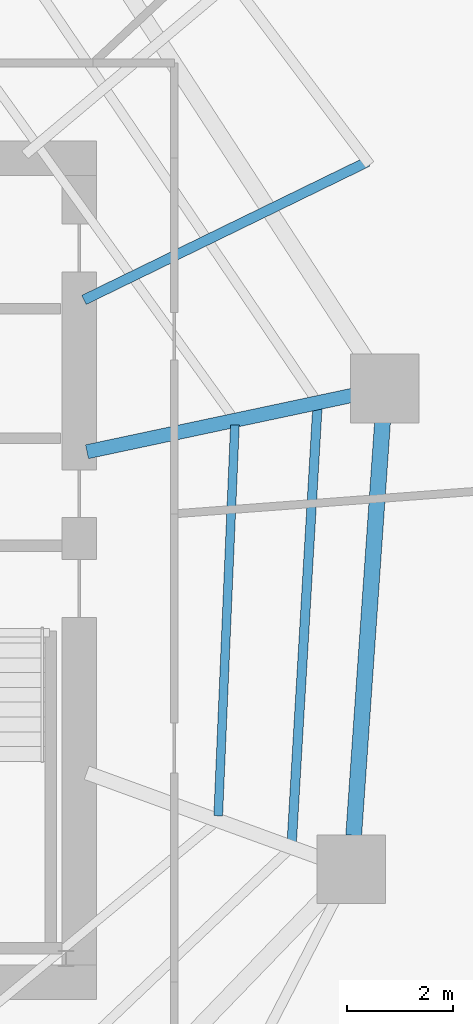
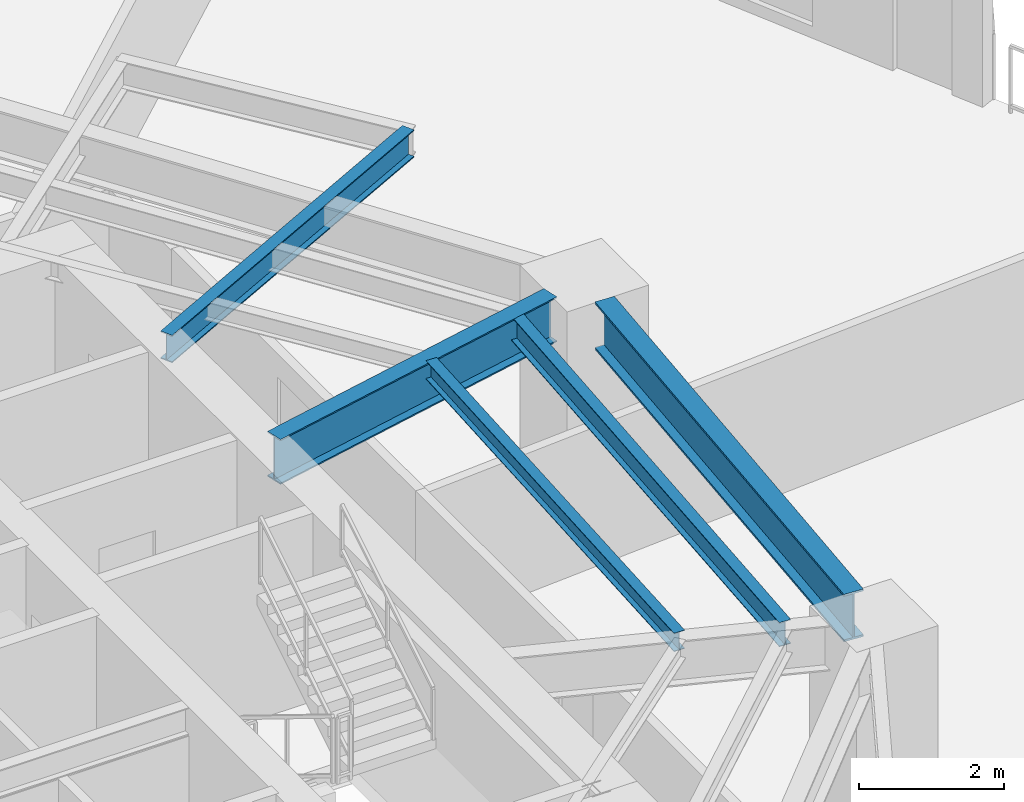
# One storey, part 14 of 30: 5 beams.
"""IFC4 building model written with IfcOpenShell, lengths in metres."""

from ifc_helpers import new_model, si_unit, direction, frame, origin, origin_2d, place, context, subcontext, project, spatial, i_section, extrude, material, material_profile, profile_set, type_object, element, save


model = new_model("IFC4")

# Units and contexts
model_context = context("Model", 3, precision=1e-05, world=origin(), true_north=direction((0.0, 1.0)))
body_context = subcontext(model_context, "Body", "Model", "MODEL_VIEW")
ifc_project = project(units=[si_unit("LENGTHUNIT", "METRE"), si_unit("AREAUNIT", "SQUARE_METRE"), si_unit("VOLUMEUNIT", "CUBIC_METRE"), si_unit("PLANEANGLEUNIT", "RADIAN"), si_unit("MASSUNIT", "GRAM", prefix="KILO")], contexts=[model_context])

# Site, building, storey
site_placement = place(None, origin())
site = spatial("IfcSite", under=ifc_project, at=site_placement, CompositionType="ELEMENT")
building_placement = place(site_placement, origin())
building = spatial("IfcBuilding", under=site, at=building_placement, Name="Qarnah Convention Tower", CompositionType="ELEMENT")
storey_placement = place(building_placement, frame((0.0, 0.0, 47.699951171875)))
storey = spatial("IfcBuildingStorey", under=building, at=storey_placement, Name="L11", CompositionType="ELEMENT", Elevation=47.699951171875)

# Beams
ifc_material = material(Name="Structural steel S355JR", Category="steel")
ifc_material_profile_1 = material_profile(ifc_material, i_section(OverallWidth=0.19189453125, OverallDepth=0.464111328125, WebThickness=0.010986328125, FlangeThickness=0.01806640625, at=origin_2d()), Name="W460X89")
ifc_profile_set_1 = profile_set([ifc_material_profile_1], Name="Structural steel S355JR")
beam_type_1 = type_object("IfcBeamType", Name="BM-CANT-W460A", PredefinedType="BEAM", material=ifc_profile_set_1)
beam_1_placement = place(storey_placement, frame((47.68994140625, 31.51611328125, 2.93798828125), z_axis=(0.898845814475, 0.438264990388, 0.0), x_axis=(-0.438264990388, 0.898845814475, 0.0)))
element("IfcBeam", 1, at=beam_1_placement, inside=storey, type_object=beam_type_1, Name="L11 beam BM-L11-CNT-01-1", PredefinedType="BEAM", context=body_context, shape_type="SweptSolid", body=[
    extrude(i_section(OverallWidth=0.19189453125, OverallDepth=0.464111328125, WebThickness=0.010986328125, FlangeThickness=0.01806640625, at=origin_2d()), origin(), (0.0, 0.0, 1.0), 5.973388671875),
])
ifc_material_profile_2 = material_profile(ifc_material, i_section(OverallWidth=0.166015625, OverallDepth=0.31201171875, WebThickness=0.007080078125, FlangeThickness=0.010986328125, at=origin_2d()), Name="W310X45")
ifc_profile_set_2 = profile_set([ifc_material_profile_2], Name="Structural steel S355JR")
beam_type_2 = type_object("IfcBeamType", Name="BM-JST-W310", PredefinedType="JOIST", material=ifc_profile_set_2)
beam_2_placement = place(storey_placement, frame((50.23193359375, 21.7490234375, 3.01416015625), z_axis=(0.042691854151, 0.999088287184, 0.0), x_axis=(-0.999088287184, 0.042691854151, 0.0)))
element("IfcBeam", 2, at=beam_2_placement, inside=storey, type_object=beam_type_2, Name="L11 joist BM-L11-IJST-09", PredefinedType="JOIST", context=body_context, shape_type="SweptSolid", body=[
    extrude(i_section(OverallWidth=0.166015625, OverallDepth=0.31201171875, WebThickness=0.007080078125, FlangeThickness=0.010986328125, at=origin_2d()), origin(), (0.0, 0.0, 1.0), 7.40576171875),
])
ifc_material_profile_3 = material_profile(ifc_material, i_section(OverallWidth=0.177978515625, OverallDepth=0.407958984375, WebThickness=0.008056640625, FlangeThickness=0.012939453125, at=origin_2d()), Name="W410X60")
ifc_profile_set_3 = profile_set([ifc_material_profile_3], Name="Structural steel S355JR")
beam_type_3 = type_object("IfcBeamType", Name="BM-JST-W410", PredefinedType="JOIST", material=ifc_profile_set_3)
beam_3_placement = place(storey_placement, frame((51.6240234375, 21.241943359375, 2.966064453125), z_axis=(0.058902383337, 0.998263747332, 0.0), x_axis=(-0.998263747332, 0.058902383337, 0.0)))
element("IfcBeam", 3, at=beam_3_placement, inside=storey, type_object=beam_type_3, Name="L11 joist BM-L11-SJST-09", PredefinedType="JOIST", context=body_context, shape_type="SweptSolid", body=[
    extrude(i_section(OverallWidth=0.177978515625, OverallDepth=0.407958984375, WebThickness=0.008056640625, FlangeThickness=0.012939453125, at=origin_2d()), origin(), (0.0, 0.0, 1.0), 8.25244140625),
])
ifc_material_profile_4 = material_profile(ifc_material, i_section(OverallWidth=0.26806640625, OverallDepth=0.760009765625, WebThickness=0.014892578125, FlangeThickness=0.02197265625, at=origin_2d()), Name="W760X185")
ifc_profile_set_4 = profile_set([ifc_material_profile_4], Name="Structural steel S355JR")
beam_type_4 = type_object("IfcBeamType", Name="BM-RAD-W760", PredefinedType="BEAM", material=ifc_profile_set_4)
beam_4_placement = place(storey_placement, frame((47.7470703125, 28.64208984375, 2.7900390625), z_axis=(0.978155710431, 0.207873534031, 0.0), x_axis=(-0.207873534031, 0.978155710431, 0.0)))
element("IfcBeam", 4, at=beam_4_placement, inside=storey, type_object=beam_type_4, Name="L11 beam BM-L11-RAD-01", PredefinedType="BEAM", context=body_context, shape_type="SweptSolid", body=[
    extrude(i_section(OverallWidth=0.26806640625, OverallDepth=0.760009765625, WebThickness=0.014892578125, FlangeThickness=0.02197265625, at=origin_2d()), origin(), (0.0, 0.0, 1.0), 5.13720703125),
])
ifc_material_profile_5 = material_profile(ifc_material, i_section(OverallWidth=0.300048828125, OverallDepth=0.800048828125, WebThickness=0.01806640625, FlangeThickness=0.032958984375, at=origin_2d()), Name="HEB800")
ifc_profile_set_5 = profile_set([ifc_material_profile_5], Name="Structural steel S355JR")
beam_type_5 = type_object("IfcBeamType", Name="BM-RING-HEB800", PredefinedType="BEAM", material=ifc_profile_set_5)
beam_5_placement = place(storey_placement, frame((52.797119140625, 21.3779296875, 2.77001953125), z_axis=(0.069594661237, 0.997575352105, 0.0), x_axis=(-0.997575352105, 0.069594661237, 0.0)))
element("IfcBeam", 5, at=beam_5_placement, inside=storey, type_object=beam_type_5, Name="L11 beam BM-L11-SPN-09", PredefinedType="BEAM", context=body_context, shape_type="SweptSolid", body=[
    extrude(i_section(OverallWidth=0.300048828125, OverallDepth=0.800048828125, WebThickness=0.01806640625, FlangeThickness=0.032958984375, at=origin_2d()), origin(), (0.0, 0.0, 1.0), 7.843994140625),
])

save(model, "model.ifc")
